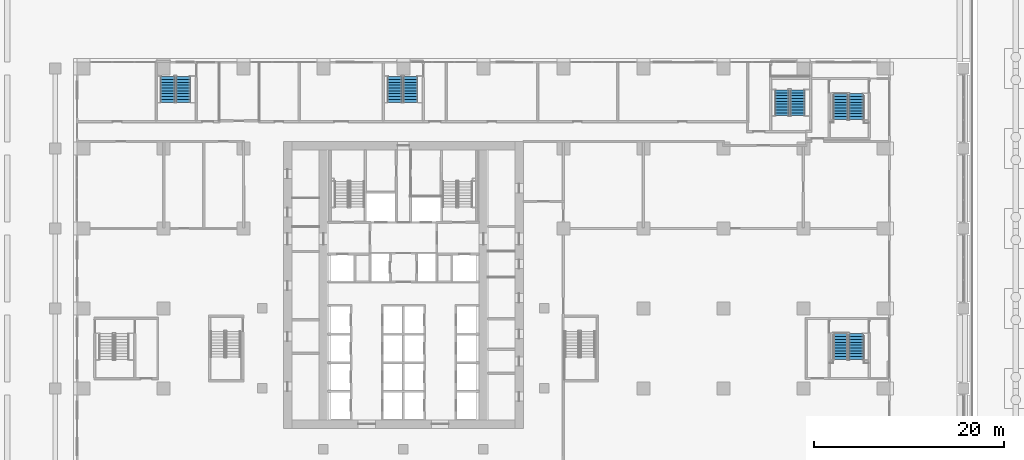
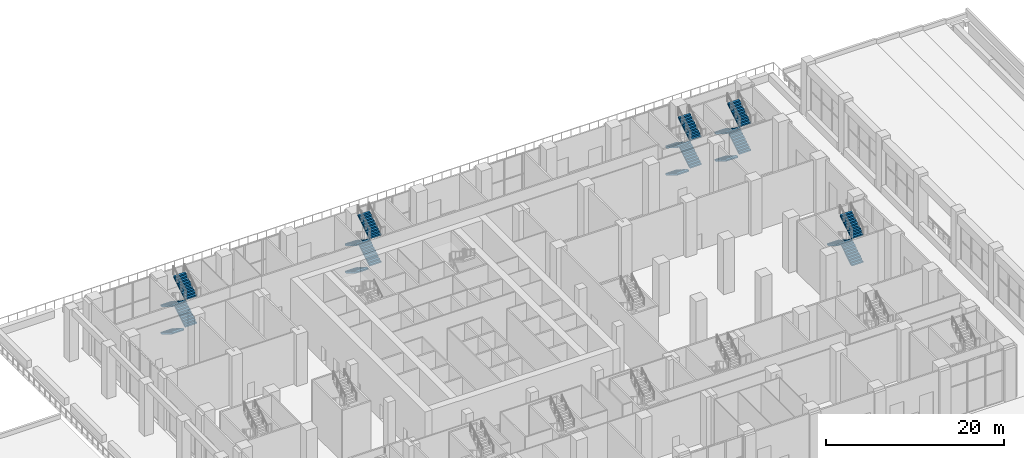
# One storey, part 35 of 53: 19 stair flights, 5 elements without a shape of their own.
"""IFC4 building model written with IfcOpenShell, lengths in metres."""

from ifc_helpers import new_model, si_unit, direction, frame, origin, place, context, subcontext, project, spatial, polyline, outline, extrude, material, type_object, element, aggregate, save


model = new_model("IFC4")

# Units and contexts
model_context = context("Model", 3, precision=1e-05, world=origin(), true_north=direction((0.0, 1.0)))
body_context = subcontext(model_context, "Body", "Model", "MODEL_VIEW")
ifc_project = project(units=[si_unit("LENGTHUNIT", "METRE"), si_unit("AREAUNIT", "SQUARE_METRE"), si_unit("VOLUMEUNIT", "CUBIC_METRE"), si_unit("PLANEANGLEUNIT", "RADIAN"), si_unit("MASSUNIT", "GRAM", prefix="KILO")], contexts=[model_context])

# Site, building, storey
site_placement = place(None, origin())
site = spatial("IfcSite", under=ifc_project, at=site_placement, CompositionType="ELEMENT")
building_placement = place(site_placement, origin())
building = spatial("IfcBuilding", under=site, at=building_placement, Name="Vermilion Ogive Tower", CompositionType="ELEMENT")
storey_placement = place(building_placement, origin())
storey = spatial("IfcBuildingStorey", under=building, at=storey_placement, Name="L00", CompositionType="ELEMENT", Elevation=0.0)

# Stair, stair flights
ifc_material_1 = material(Name="Concrete B40", Category="concrete")
stair_type = type_object("IfcStairType", Name="Exit stair 1500", PredefinedType="HALF_TURN_STAIR", material=ifc_material_1)
stair_1_placement = place(storey_placement, origin())
stair_1 = element("IfcStair", 1, at=stair_1_placement, inside=storey, type_object=stair_type, Name="L00 Exit Stair PS1", PredefinedType="HALF_TURN_STAIR")
ifc_material_2 = material(Name="Concrete B40", Category="concrete")
stair_flight_type = type_object("IfcStairFlightType", Name="Stair flight 1500", PredefinedType="STRAIGHT", material=ifc_material_2)
stair_flight_1_placement = place(storey_placement, frame((-24.75, 28.550048828125, 0.0), z_axis=(0.0, 0.0, 1.0), x_axis=(0.0, -1.0, 0.0)))
stair_flight_1 = element("IfcStairFlight", 2, at=stair_flight_1_placement, type_object=stair_flight_type, Name="PS1 flight 1", NumberOfRisers=10, NumberOfTreads=9, PredefinedType="STRAIGHT", RiserHeight=0.1875, TreadLength=0.3, context=body_context, shape_type="SweptSolid", body=[
    extrude(outline(polyline([(0.0, 0.0), (0.0, 0.1875), (0.300048828125, 0.1875), (0.300048828125, 0.375), (0.60009765625, 0.375), (0.60009765625, 0.5625), (0.89990234375, 0.5625), (0.89990234375, 0.75), (1.199951171875, 0.75), (1.199951171875, 0.9375), (1.5, 0.9375), (1.5, 1.125), (1.800048828125, 1.125), (1.800048828125, 1.3125), (2.10009765625, 1.3125), (2.10009765625, 1.5), (2.39990234375, 1.5), (2.39990234375, 1.6875), (2.699951171875, 1.6875), (2.699951171875, 1.875), (2.699951171875, 1.5107421875), (0.28271484375, 0.0), (0.0, 0.0)])), frame((0.0, 0.75, 0.0), z_axis=(0.0, -1.0, 0.0), x_axis=(1.0, 0.0, 0.0)), (0.0, 0.0, 1.0), 1.5),
])
stair_flight_2_placement = place(storey_placement, frame((-23.10009765625, 25.85009765625, 1.875), z_axis=(0.0, 0.0, 1.0), x_axis=(0.0, 1.0, 0.0)))
stair_flight_2 = element("IfcStairFlight", 3, at=stair_flight_2_placement, type_object=stair_flight_type, Name="PS1 flight 2", NumberOfRisers=10, NumberOfTreads=9, PredefinedType="STRAIGHT", RiserHeight=0.1875, TreadLength=0.3, context=body_context, shape_type="SweptSolid", body=[
    extrude(outline(polyline([(0.0, 0.0), (0.0, 0.1875), (0.300048828125, 0.1875), (0.300048828125, 0.375), (0.60009765625, 0.375), (0.60009765625, 0.5625), (0.89990234375, 0.5625), (0.89990234375, 0.75), (1.199951171875, 0.75), (1.199951171875, 0.9375), (1.5, 0.9375), (1.5, 1.125), (1.800048828125, 1.125), (1.800048828125, 1.3125), (2.10009765625, 1.3125), (2.10009765625, 1.5), (2.39990234375, 1.5), (2.39990234375, 1.6875), (2.699951171875, 1.6875), (2.699951171875, 1.875), (2.699951171875, 1.5107421875), (0.28271484375, 0.0), (0.0, 0.0)])), frame((0.0, 0.75, 0.0), z_axis=(0.0, -1.0, 0.0), x_axis=(1.0, 0.0, 0.0)), (0.0, 0.0, 1.0), 1.5),
])
stair_flight_3_placement = place(storey_placement, frame((-24.75, 28.550048828125, 3.75), z_axis=(0.0, 0.0, 1.0), x_axis=(0.0, -1.0, 0.0)))
stair_flight_3 = element("IfcStairFlight", 4, at=stair_flight_3_placement, type_object=stair_flight_type, Name="PS1 flight 3", NumberOfRisers=10, NumberOfTreads=9, PredefinedType="STRAIGHT", RiserHeight=0.1875, TreadLength=0.3, context=body_context, shape_type="SweptSolid", body=[
    extrude(outline(polyline([(0.0, 0.0), (0.0, 0.1875), (0.300048828125, 0.1875), (0.300048828125, 0.375), (0.60009765625, 0.375), (0.60009765625, 0.5625), (0.89990234375, 0.5625), (0.89990234375, 0.75), (1.199951171875, 0.75), (1.199951171875, 0.9375), (1.5, 0.9375), (1.5, 1.125), (1.800048828125, 1.125), (1.800048828125, 1.3125), (2.10009765625, 1.3125), (2.10009765625, 1.5), (2.39990234375, 1.5), (2.39990234375, 1.6875), (2.699951171875, 1.6875), (2.699951171875, 1.875), (2.699951171875, 1.5107421875), (0.28271484375, 0.0), (0.0, 0.0)])), frame((0.0, 0.75, 0.0), z_axis=(0.0, -1.0, 0.0), x_axis=(1.0, 0.0, 0.0)), (0.0, 0.0, 1.0), 1.5),
])
stair_flight_4_placement = place(storey_placement, frame((-23.10009765625, 25.85009765625, 5.625), z_axis=(0.0, 0.0, 1.0), x_axis=(0.0, 1.0, 0.0)))
stair_flight_4 = element("IfcStairFlight", 5, at=stair_flight_4_placement, type_object=stair_flight_type, Name="PS1 flight 4", NumberOfRisers=10, NumberOfTreads=9, PredefinedType="STRAIGHT", RiserHeight=0.1875, TreadLength=0.3, context=body_context, shape_type="SweptSolid", body=[
    extrude(outline(polyline([(0.0, 0.0), (0.0, 0.1875), (0.300048828125, 0.1875), (0.300048828125, 0.375), (0.60009765625, 0.375), (0.60009765625, 0.5625), (0.89990234375, 0.5625), (0.89990234375, 0.75), (1.199951171875, 0.75), (1.199951171875, 0.9375), (1.5, 0.9375), (1.5, 1.125), (1.800048828125, 1.125), (1.800048828125, 1.3125), (2.10009765625, 1.3125), (2.10009765625, 1.5), (2.39990234375, 1.5), (2.39990234375, 1.6875), (2.699951171875, 1.6875), (2.699951171875, 1.875), (2.699951171875, 1.5107421875), (0.28271484375, 0.0), (0.0, 0.0)])), frame((0.0, 0.75, 0.0), z_axis=(0.0, -1.0, 0.0), x_axis=(1.0, 0.0, 0.0)), (0.0, 0.0, 1.0), 1.5),
])
aggregate(stair_1, [stair_flight_1, stair_flight_2, stair_flight_3, stair_flight_4])

stair_2_placement = place(storey_placement, origin())
stair_2 = element("IfcStair", 6, at=stair_2_placement, inside=storey, type_object=stair_type, Name="L00 Exit Stair PS2", PredefinedType="HALF_TURN_STAIR")
stair_flight_5_placement = place(storey_placement, frame((39.75, 27.14990234375, 0.0), z_axis=(0.0, 0.0, 1.0), x_axis=(0.0, -1.0, 0.0)))
stair_flight_5 = element("IfcStairFlight", 7, at=stair_flight_5_placement, type_object=stair_flight_type, Name="PS2 flight 1", NumberOfRisers=10, NumberOfTreads=9, PredefinedType="STRAIGHT", RiserHeight=0.1875, TreadLength=0.3, context=body_context, shape_type="SweptSolid", body=[
    extrude(outline(polyline([(0.0, 0.0), (0.0, 0.1875), (0.300048828125, 0.1875), (0.300048828125, 0.375), (0.60009765625, 0.375), (0.60009765625, 0.5625), (0.89990234375, 0.5625), (0.89990234375, 0.75), (1.199951171875, 0.75), (1.199951171875, 0.9375), (1.5, 0.9375), (1.5, 1.125), (1.800048828125, 1.125), (1.800048828125, 1.3125), (2.10009765625, 1.3125), (2.10009765625, 1.5), (2.39990234375, 1.5), (2.39990234375, 1.6875), (2.699951171875, 1.6875), (2.699951171875, 1.875), (2.699951171875, 1.5107421875), (0.28271484375, 0.0), (0.0, 0.0)])), frame((0.0, 0.75, 0.0), z_axis=(0.0, -1.0, 0.0), x_axis=(1.0, 0.0, 0.0)), (0.0, 0.0, 1.0), 1.5),
])
stair_flight_6_placement = place(storey_placement, frame((41.39990234375, 24.449951171875, 1.875), z_axis=(0.0, 0.0, 1.0), x_axis=(0.0, 1.0, 0.0)))
stair_flight_6 = element("IfcStairFlight", 8, at=stair_flight_6_placement, type_object=stair_flight_type, Name="PS2 flight 2", NumberOfRisers=10, NumberOfTreads=9, PredefinedType="STRAIGHT", RiserHeight=0.1875, TreadLength=0.3, context=body_context, shape_type="SweptSolid", body=[
    extrude(outline(polyline([(0.0, 0.0), (0.0, 0.1875), (0.300048828125, 0.1875), (0.300048828125, 0.375), (0.60009765625, 0.375), (0.60009765625, 0.5625), (0.89990234375, 0.5625), (0.89990234375, 0.75), (1.199951171875, 0.75), (1.199951171875, 0.9375), (1.5, 0.9375), (1.5, 1.125), (1.800048828125, 1.125), (1.800048828125, 1.3125), (2.10009765625, 1.3125), (2.10009765625, 1.5), (2.39990234375, 1.5), (2.39990234375, 1.6875), (2.699951171875, 1.6875), (2.699951171875, 1.875), (2.699951171875, 1.5107421875), (0.28271484375, 0.0), (0.0, 0.0)])), frame((0.0, 0.75, 0.0), z_axis=(0.0, -1.0, 0.0), x_axis=(1.0, 0.0, 0.0)), (0.0, 0.0, 1.0), 1.5),
])
stair_flight_7_placement = place(storey_placement, frame((39.75, 27.14990234375, 3.75), z_axis=(0.0, 0.0, 1.0), x_axis=(0.0, -1.0, 0.0)))
stair_flight_7 = element("IfcStairFlight", 9, at=stair_flight_7_placement, type_object=stair_flight_type, Name="PS2 flight 3", NumberOfRisers=10, NumberOfTreads=9, PredefinedType="STRAIGHT", RiserHeight=0.1875, TreadLength=0.3, context=body_context, shape_type="SweptSolid", body=[
    extrude(outline(polyline([(0.0, 0.0), (0.0, 0.1875), (0.300048828125, 0.1875), (0.300048828125, 0.375), (0.60009765625, 0.375), (0.60009765625, 0.5625), (0.89990234375, 0.5625), (0.89990234375, 0.75), (1.199951171875, 0.75), (1.199951171875, 0.9375), (1.5, 0.9375), (1.5, 1.125), (1.800048828125, 1.125), (1.800048828125, 1.3125), (2.10009765625, 1.3125), (2.10009765625, 1.5), (2.39990234375, 1.5), (2.39990234375, 1.6875), (2.699951171875, 1.6875), (2.699951171875, 1.875), (2.699951171875, 1.5107421875), (0.28271484375, 0.0), (0.0, 0.0)])), frame((0.0, 0.75, 0.0), z_axis=(0.0, -1.0, 0.0), x_axis=(1.0, 0.0, 0.0)), (0.0, 0.0, 1.0), 1.5),
])
stair_flight_8_placement = place(storey_placement, frame((41.39990234375, 24.449951171875, 5.625), z_axis=(0.0, 0.0, 1.0), x_axis=(0.0, 1.0, 0.0)))
stair_flight_8 = element("IfcStairFlight", 10, at=stair_flight_8_placement, type_object=stair_flight_type, Name="PS2 flight 4", NumberOfRisers=10, NumberOfTreads=9, PredefinedType="STRAIGHT", RiserHeight=0.1875, TreadLength=0.3, context=body_context, shape_type="SweptSolid", body=[
    extrude(outline(polyline([(0.0, 0.0), (0.0, 0.1875), (0.300048828125, 0.1875), (0.300048828125, 0.375), (0.60009765625, 0.375), (0.60009765625, 0.5625), (0.89990234375, 0.5625), (0.89990234375, 0.75), (1.199951171875, 0.75), (1.199951171875, 0.9375), (1.5, 0.9375), (1.5, 1.125), (1.800048828125, 1.125), (1.800048828125, 1.3125), (2.10009765625, 1.3125), (2.10009765625, 1.5), (2.39990234375, 1.5), (2.39990234375, 1.6875), (2.699951171875, 1.6875), (2.699951171875, 1.875), (2.699951171875, 1.5107421875), (0.28271484375, 0.0), (0.0, 0.0)])), frame((0.0, 0.75, 0.0), z_axis=(0.0, -1.0, 0.0), x_axis=(1.0, 0.0, 0.0)), (0.0, 0.0, 1.0), 1.5),
])
aggregate(stair_2, [stair_flight_5, stair_flight_6, stair_flight_7, stair_flight_8])

stair_3_placement = place(storey_placement, origin())
stair_3 = element("IfcStair", 11, at=stair_3_placement, inside=storey, type_object=stair_type, Name="L00 Exit Stair PS5", PredefinedType="HALF_TURN_STAIR")
stair_flight_9_placement = place(storey_placement, frame((-0.89990234375, 28.550048828125, 0.0), z_axis=(0.0, 0.0, 1.0), x_axis=(0.0, -1.0, 0.0)))
stair_flight_9 = element("IfcStairFlight", 12, at=stair_flight_9_placement, type_object=stair_flight_type, Name="PS5 flight 1", NumberOfRisers=10, NumberOfTreads=9, PredefinedType="STRAIGHT", RiserHeight=0.1875, TreadLength=0.3, context=body_context, shape_type="SweptSolid", body=[
    extrude(outline(polyline([(0.0, 0.0), (0.0, 0.1875), (0.300048828125, 0.1875), (0.300048828125, 0.375), (0.60009765625, 0.375), (0.60009765625, 0.5625), (0.89990234375, 0.5625), (0.89990234375, 0.75), (1.199951171875, 0.75), (1.199951171875, 0.9375), (1.5, 0.9375), (1.5, 1.125), (1.800048828125, 1.125), (1.800048828125, 1.3125), (2.10009765625, 1.3125), (2.10009765625, 1.5), (2.39990234375, 1.5), (2.39990234375, 1.6875), (2.699951171875, 1.6875), (2.699951171875, 1.875), (2.699951171875, 1.5107421875), (0.28271484375, 0.0), (0.0, 0.0)])), frame((0.0, 0.75, 0.0), z_axis=(0.0, -1.0, 0.0), x_axis=(1.0, 0.0, 0.0)), (0.0, 0.0, 1.0), 1.5),
])
stair_flight_10_placement = place(storey_placement, frame((0.75, 25.85009765625, 1.875), z_axis=(0.0, 0.0, 1.0), x_axis=(0.0, 1.0, 0.0)))
stair_flight_10 = element("IfcStairFlight", 13, at=stair_flight_10_placement, type_object=stair_flight_type, Name="PS5 flight 2", NumberOfRisers=10, NumberOfTreads=9, PredefinedType="STRAIGHT", RiserHeight=0.1875, TreadLength=0.3, context=body_context, shape_type="SweptSolid", body=[
    extrude(outline(polyline([(0.0, 0.0), (0.0, 0.1875), (0.300048828125, 0.1875), (0.300048828125, 0.375), (0.60009765625, 0.375), (0.60009765625, 0.5625), (0.89990234375, 0.5625), (0.89990234375, 0.75), (1.199951171875, 0.75), (1.199951171875, 0.9375), (1.5, 0.9375), (1.5, 1.125), (1.800048828125, 1.125), (1.800048828125, 1.3125), (2.10009765625, 1.3125), (2.10009765625, 1.5), (2.39990234375, 1.5), (2.39990234375, 1.6875), (2.699951171875, 1.6875), (2.699951171875, 1.875), (2.699951171875, 1.5107421875), (0.28271484375, 0.0), (0.0, 0.0)])), frame((0.0, 0.75, 0.0), z_axis=(0.0, -1.0, 0.0), x_axis=(1.0, 0.0, 0.0)), (0.0, 0.0, 1.0), 1.5),
])
stair_flight_11_placement = place(storey_placement, frame((-0.89990234375, 28.550048828125, 3.75), z_axis=(0.0, 0.0, 1.0), x_axis=(0.0, -1.0, 0.0)))
stair_flight_11 = element("IfcStairFlight", 14, at=stair_flight_11_placement, type_object=stair_flight_type, Name="PS5 flight 3", NumberOfRisers=10, NumberOfTreads=9, PredefinedType="STRAIGHT", RiserHeight=0.1875, TreadLength=0.3, context=body_context, shape_type="SweptSolid", body=[
    extrude(outline(polyline([(0.0, 0.0), (0.0, 0.1875), (0.300048828125, 0.1875), (0.300048828125, 0.375), (0.60009765625, 0.375), (0.60009765625, 0.5625), (0.89990234375, 0.5625), (0.89990234375, 0.75), (1.199951171875, 0.75), (1.199951171875, 0.9375), (1.5, 0.9375), (1.5, 1.125), (1.800048828125, 1.125), (1.800048828125, 1.3125), (2.10009765625, 1.3125), (2.10009765625, 1.5), (2.39990234375, 1.5), (2.39990234375, 1.6875), (2.699951171875, 1.6875), (2.699951171875, 1.875), (2.699951171875, 1.5107421875), (0.28271484375, 0.0), (0.0, 0.0)])), frame((0.0, 0.75, 0.0), z_axis=(0.0, -1.0, 0.0), x_axis=(1.0, 0.0, 0.0)), (0.0, 0.0, 1.0), 1.5),
])
stair_flight_12_placement = place(storey_placement, frame((0.75, 25.85009765625, 5.625), z_axis=(0.0, 0.0, 1.0), x_axis=(0.0, 1.0, 0.0)))
stair_flight_12 = element("IfcStairFlight", 15, at=stair_flight_12_placement, type_object=stair_flight_type, Name="PS5 flight 4", NumberOfRisers=10, NumberOfTreads=9, PredefinedType="STRAIGHT", RiserHeight=0.1875, TreadLength=0.3, context=body_context, shape_type="SweptSolid", body=[
    extrude(outline(polyline([(0.0, 0.0), (0.0, 0.1875), (0.300048828125, 0.1875), (0.300048828125, 0.375), (0.60009765625, 0.375), (0.60009765625, 0.5625), (0.89990234375, 0.5625), (0.89990234375, 0.75), (1.199951171875, 0.75), (1.199951171875, 0.9375), (1.5, 0.9375), (1.5, 1.125), (1.800048828125, 1.125), (1.800048828125, 1.3125), (2.10009765625, 1.3125), (2.10009765625, 1.5), (2.39990234375, 1.5), (2.39990234375, 1.6875), (2.699951171875, 1.6875), (2.699951171875, 1.875), (2.699951171875, 1.5107421875), (0.28271484375, 0.0), (0.0, 0.0)])), frame((0.0, 0.75, 0.0), z_axis=(0.0, -1.0, 0.0), x_axis=(1.0, 0.0, 0.0)), (0.0, 0.0, 1.0), 1.5),
])
aggregate(stair_3, [stair_flight_9, stair_flight_10, stair_flight_11, stair_flight_12])

stair_4_placement = place(storey_placement, origin())
stair_4 = element("IfcStair", 16, at=stair_4_placement, inside=storey, type_object=stair_type, Name="L00 Exit Stair PEN", PredefinedType="HALF_TURN_STAIR")
stair_flight_13_placement = place(storey_placement, frame((45.89990234375, 26.75, 0.0), z_axis=(0.0, 0.0, 1.0), x_axis=(0.0, -1.0, 0.0)))
stair_flight_13 = element("IfcStairFlight", 17, at=stair_flight_13_placement, type_object=stair_flight_type, Name="PEN flight 1", NumberOfRisers=10, NumberOfTreads=9, PredefinedType="STRAIGHT", RiserHeight=0.1875, TreadLength=0.3, context=body_context, shape_type="SweptSolid", body=[
    extrude(outline(polyline([(0.0, 0.0), (0.0, 0.1875), (0.300048828125, 0.1875), (0.300048828125, 0.375), (0.60009765625, 0.375), (0.60009765625, 0.5625), (0.89990234375, 0.5625), (0.89990234375, 0.75), (1.199951171875, 0.75), (1.199951171875, 0.9375), (1.5, 0.9375), (1.5, 1.125), (1.800048828125, 1.125), (1.800048828125, 1.3125), (2.10009765625, 1.3125), (2.10009765625, 1.5), (2.39990234375, 1.5), (2.39990234375, 1.6875), (2.699951171875, 1.6875), (2.699951171875, 1.875), (2.699951171875, 1.5107421875), (0.28271484375, 0.0), (0.0, 0.0)])), frame((0.0, 0.75, 0.0), z_axis=(0.0, -1.0, 0.0), x_axis=(1.0, 0.0, 0.0)), (0.0, 0.0, 1.0), 1.5),
])
stair_flight_14_placement = place(storey_placement, frame((47.550048828125, 24.050048828125, 1.875), z_axis=(0.0, 0.0, 1.0), x_axis=(0.0, 1.0, 0.0)))
stair_flight_14 = element("IfcStairFlight", 18, at=stair_flight_14_placement, type_object=stair_flight_type, Name="PEN flight 2", NumberOfRisers=10, NumberOfTreads=9, PredefinedType="STRAIGHT", RiserHeight=0.1875, TreadLength=0.3, context=body_context, shape_type="SweptSolid", body=[
    extrude(outline(polyline([(0.0, 0.0), (0.0, 0.1875), (0.300048828125, 0.1875), (0.300048828125, 0.375), (0.60009765625, 0.375), (0.60009765625, 0.5625), (0.89990234375, 0.5625), (0.89990234375, 0.75), (1.199951171875, 0.75), (1.199951171875, 0.9375), (1.5, 0.9375), (1.5, 1.125), (1.800048828125, 1.125), (1.800048828125, 1.3125), (2.10009765625, 1.3125), (2.10009765625, 1.5), (2.39990234375, 1.5), (2.39990234375, 1.6875), (2.699951171875, 1.6875), (2.699951171875, 1.875), (2.699951171875, 1.5107421875), (0.28271484375, 0.0), (0.0, 0.0)])), frame((0.0, 0.75, 0.0), z_axis=(0.0, -1.0, 0.0), x_axis=(1.0, 0.0, 0.0)), (0.0, 0.0, 1.0), 1.5),
])
stair_flight_15_placement = place(storey_placement, frame((45.89990234375, 26.75, 3.75), z_axis=(0.0, 0.0, 1.0), x_axis=(0.0, -1.0, 0.0)))
stair_flight_15 = element("IfcStairFlight", 19, at=stair_flight_15_placement, type_object=stair_flight_type, Name="PEN flight 3", NumberOfRisers=10, NumberOfTreads=9, PredefinedType="STRAIGHT", RiserHeight=0.1875, TreadLength=0.3, context=body_context, shape_type="SweptSolid", body=[
    extrude(outline(polyline([(0.0, 0.0), (0.0, 0.1875), (0.300048828125, 0.1875), (0.300048828125, 0.375), (0.60009765625, 0.375), (0.60009765625, 0.5625), (0.89990234375, 0.5625), (0.89990234375, 0.75), (1.199951171875, 0.75), (1.199951171875, 0.9375), (1.5, 0.9375), (1.5, 1.125), (1.800048828125, 1.125), (1.800048828125, 1.3125), (2.10009765625, 1.3125), (2.10009765625, 1.5), (2.39990234375, 1.5), (2.39990234375, 1.6875), (2.699951171875, 1.6875), (2.699951171875, 1.875), (2.699951171875, 1.5107421875), (0.28271484375, 0.0), (0.0, 0.0)])), frame((0.0, 0.75, 0.0), z_axis=(0.0, -1.0, 0.0), x_axis=(1.0, 0.0, 0.0)), (0.0, 0.0, 1.0), 1.5),
])
stair_flight_16_placement = place(storey_placement, frame((47.550048828125, 24.050048828125, 5.625), z_axis=(0.0, 0.0, 1.0), x_axis=(0.0, 1.0, 0.0)))
stair_flight_16 = element("IfcStairFlight", 20, at=stair_flight_16_placement, type_object=stair_flight_type, Name="PEN flight 4", NumberOfRisers=10, NumberOfTreads=9, PredefinedType="STRAIGHT", RiserHeight=0.1875, TreadLength=0.3, context=body_context, shape_type="SweptSolid", body=[
    extrude(outline(polyline([(0.0, 0.0), (0.0, 0.1875), (0.300048828125, 0.1875), (0.300048828125, 0.375), (0.60009765625, 0.375), (0.60009765625, 0.5625), (0.89990234375, 0.5625), (0.89990234375, 0.75), (1.199951171875, 0.75), (1.199951171875, 0.9375), (1.5, 0.9375), (1.5, 1.125), (1.800048828125, 1.125), (1.800048828125, 1.3125), (2.10009765625, 1.3125), (2.10009765625, 1.5), (2.39990234375, 1.5), (2.39990234375, 1.6875), (2.699951171875, 1.6875), (2.699951171875, 1.875), (2.699951171875, 1.5107421875), (0.28271484375, 0.0), (0.0, 0.0)])), frame((0.0, 0.75, 0.0), z_axis=(0.0, -1.0, 0.0), x_axis=(1.0, 0.0, 0.0)), (0.0, 0.0, 1.0), 1.5),
])
aggregate(stair_4, [stair_flight_13, stair_flight_14, stair_flight_15, stair_flight_16])

stair_5_placement = place(storey_placement, origin())
stair_5 = element("IfcStair", 21, at=stair_5_placement, inside=storey, type_object=stair_type, Name="L00 Exit Stair PEC", PredefinedType="HALF_TURN_STAIR")
stair_flight_17_placement = place(storey_placement, frame((47.550048828125, -1.14990234375, 1.875), z_axis=(0.0, 0.0, 1.0), x_axis=(0.0, 1.0, 0.0)))
stair_flight_17 = element("IfcStairFlight", 22, at=stair_flight_17_placement, type_object=stair_flight_type, Name="PEC flight 2", NumberOfRisers=10, NumberOfTreads=9, PredefinedType="STRAIGHT", RiserHeight=0.1875, TreadLength=0.3, context=body_context, shape_type="SweptSolid", body=[
    extrude(outline(polyline([(0.0, 0.0), (0.0, 0.1875), (0.300048828125, 0.1875), (0.300048828125, 0.375), (0.60009765625, 0.375), (0.60009765625, 0.5625), (0.89990234375, 0.5625), (0.89990234375, 0.75), (1.199951171875, 0.75), (1.199951171875, 0.9375), (1.5, 0.9375), (1.5, 1.125), (1.800048828125, 1.125), (1.800048828125, 1.3125), (2.10009765625, 1.3125), (2.10009765625, 1.5), (2.39990234375, 1.5), (2.39990234375, 1.6875), (2.699951171875, 1.6875), (2.699951171875, 1.875), (2.699951171875, 1.5107421875), (0.28271484375, 0.0), (0.0, 0.0)])), frame((0.0, 0.75, 0.0), z_axis=(0.0, -1.0, 0.0), x_axis=(1.0, 0.0, 0.0)), (0.0, 0.0, 1.0), 1.5),
])
stair_flight_18_placement = place(storey_placement, frame((45.89990234375, 1.550048828125, 3.75), z_axis=(0.0, 0.0, 1.0), x_axis=(0.0, -1.0, 0.0)))
stair_flight_18 = element("IfcStairFlight", 23, at=stair_flight_18_placement, type_object=stair_flight_type, Name="PEC flight 3", NumberOfRisers=10, NumberOfTreads=9, PredefinedType="STRAIGHT", RiserHeight=0.1875, TreadLength=0.3, context=body_context, shape_type="SweptSolid", body=[
    extrude(outline(polyline([(0.0, 0.0), (0.0, 0.1875), (0.300048828125, 0.1875), (0.300048828125, 0.375), (0.60009765625, 0.375), (0.60009765625, 0.5625), (0.89990234375, 0.5625), (0.89990234375, 0.75), (1.199951171875, 0.75), (1.199951171875, 0.9375), (1.5, 0.9375), (1.5, 1.125), (1.800048828125, 1.125), (1.800048828125, 1.3125), (2.10009765625, 1.3125), (2.10009765625, 1.5), (2.39990234375, 1.5), (2.39990234375, 1.6875), (2.699951171875, 1.6875), (2.699951171875, 1.875), (2.699951171875, 1.5107421875), (0.28271484375, 0.0), (0.0, 0.0)])), frame((0.0, 0.75, 0.0), z_axis=(0.0, -1.0, 0.0), x_axis=(1.0, 0.0, 0.0)), (0.0, 0.0, 1.0), 1.5),
])
stair_flight_19_placement = place(storey_placement, frame((47.550048828125, -1.14990234375, 5.625), z_axis=(0.0, 0.0, 1.0), x_axis=(0.0, 1.0, 0.0)))
stair_flight_19 = element("IfcStairFlight", 24, at=stair_flight_19_placement, type_object=stair_flight_type, Name="PEC flight 4", NumberOfRisers=10, NumberOfTreads=9, PredefinedType="STRAIGHT", RiserHeight=0.1875, TreadLength=0.3, context=body_context, shape_type="SweptSolid", body=[
    extrude(outline(polyline([(0.0, 0.0), (0.0, 0.1875), (0.300048828125, 0.1875), (0.300048828125, 0.375), (0.60009765625, 0.375), (0.60009765625, 0.5625), (0.89990234375, 0.5625), (0.89990234375, 0.75), (1.199951171875, 0.75), (1.199951171875, 0.9375), (1.5, 0.9375), (1.5, 1.125), (1.800048828125, 1.125), (1.800048828125, 1.3125), (2.10009765625, 1.3125), (2.10009765625, 1.5), (2.39990234375, 1.5), (2.39990234375, 1.6875), (2.699951171875, 1.6875), (2.699951171875, 1.875), (2.699951171875, 1.5107421875), (0.28271484375, 0.0), (0.0, 0.0)])), frame((0.0, 0.75, 0.0), z_axis=(0.0, -1.0, 0.0), x_axis=(1.0, 0.0, 0.0)), (0.0, 0.0, 1.0), 1.5),
])
aggregate(stair_5, [stair_flight_17, stair_flight_18, stair_flight_19])

save(model, "model.ifc")
